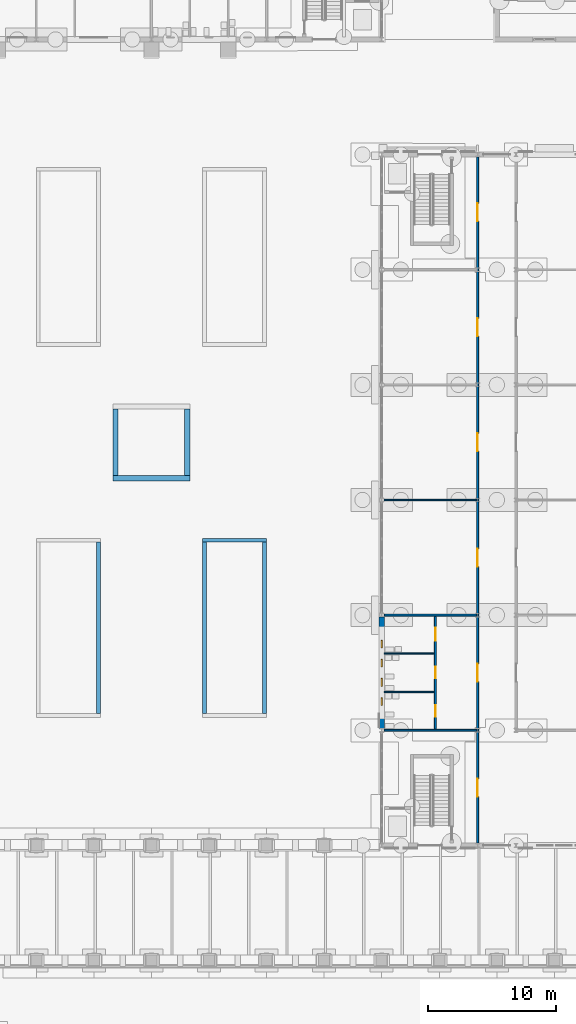
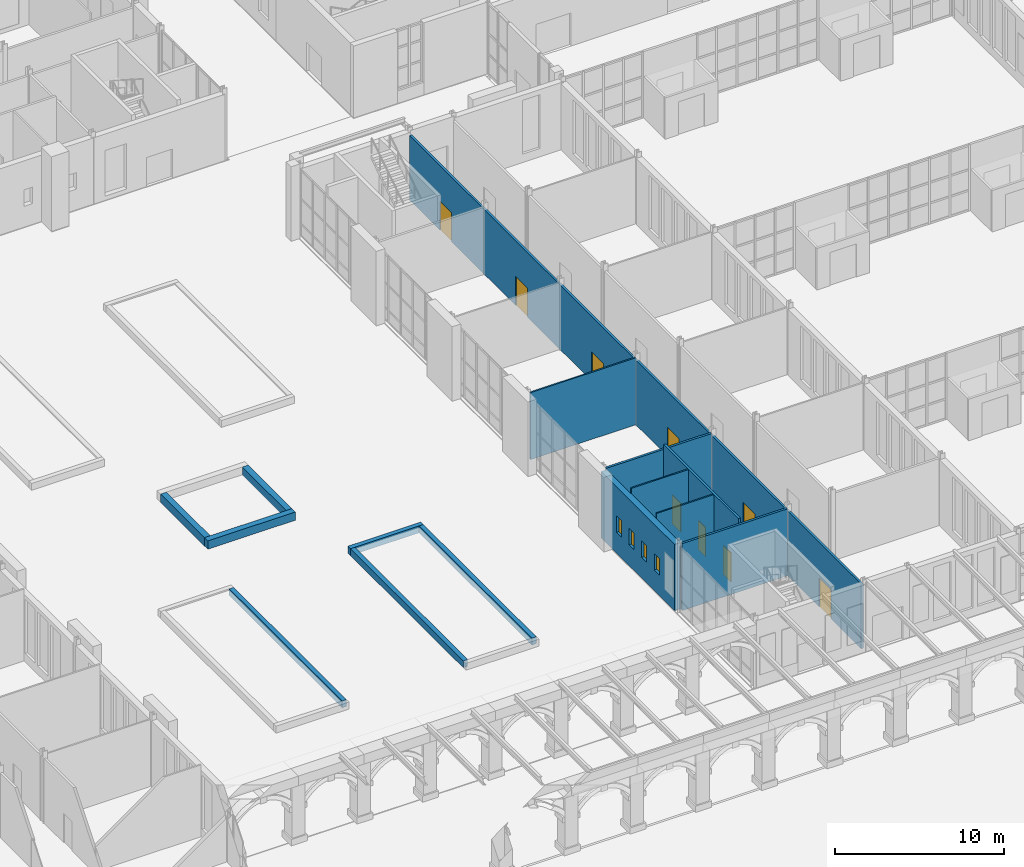
# One storey, part 86 of 168: 15 walls, 9 doors, 4 windows, 13 openings.
"""IFC4 building model written with IfcOpenShell, lengths in metres."""

from ifc_helpers import new_model, si_unit, direction, frame, frame_2d, origin, place, context, subcontext, project, spatial, rectangle, extrude, material, layer, layer_set, type_object, element, fill, save


model = new_model("IFC4")

# Units and contexts
model_context = context("Model", 3, precision=1e-05, world=origin(), true_north=direction((0.0, 1.0)))
body_context = subcontext(model_context, "Body", "Model", "MODEL_VIEW")
ifc_project = project(units=[si_unit("LENGTHUNIT", "METRE"), si_unit("AREAUNIT", "SQUARE_METRE"), si_unit("VOLUMEUNIT", "CUBIC_METRE"), si_unit("PLANEANGLEUNIT", "RADIAN"), si_unit("MASSUNIT", "GRAM", prefix="KILO")], contexts=[model_context])

# Site, building, storey
site_placement = place(None, origin())
site = spatial("IfcSite", under=ifc_project, at=site_placement, CompositionType="ELEMENT")
building_placement = place(site_placement, origin())
building = spatial("IfcBuilding", under=site, at=building_placement, Name="Golden Quay Civic Hall", CompositionType="ELEMENT")
storey_placement = place(building_placement, origin())
storey = spatial("IfcBuildingStorey", under=building, at=storey_placement, Name="L00", CompositionType="ELEMENT", Elevation=0.0)

# Walls
ifc_material_1 = material(Name="Brick, dark clay facing", Category="masonry")
ifc_layer_1 = layer(ifc_material_1, 0.300048828125)
ifc_layer_set_1 = layer_set([ifc_layer_1], Name="Brick planter wall 300")
wall_type_1 = type_object("IfcWallType", Name="Brick planter wall 300", PredefinedType="STANDARD", material=ifc_layer_set_1)
wall_1_placement = place(storey_placement, frame((31.85009765625, 10.300048828125, 0.0), z_axis=(0.0, 0.0, 1.0), x_axis=(0.0, 1.0, 0.0)))
element("IfcWall", 1, at=wall_1_placement, inside=storey, type_object=wall_type_1, Name="Court planter West Court 1", PredefinedType="STANDARD", context=body_context, shape_type="SweptSolid", body=[
    extrude(rectangle(XDim=13.39990234375, YDim=0.300048828125, at=frame_2d((6.699951171875, 0.0))), origin(), (0.0, 0.0, 1.0), 0.5),
])
wall_2_placement = place(storey_placement, frame((40.0, 23.85009765625, 0.0), z_axis=(0.0, 0.0, 1.0), x_axis=(1.0, 0.0, 0.0)))
element("IfcWall", 2, at=wall_2_placement, inside=storey, type_object=wall_type_1, Name="Court planter West Court 3", PredefinedType="STANDARD", context=body_context, shape_type="SweptSolid", body=[
    extrude(rectangle(XDim=5.0, YDim=0.300048828125, at=frame_2d((2.5, 0.0))), origin(), (0.0, 0.0, 1.0), 0.5),
])
for number, where, z_axis, x_axis, name in (
    (3, (40.14990234375, 10.300048828125, 0.0), (0.0, 0.0, 1.0), (0.0, 1.0, 0.0), "Court planter West Court 3"),
    (4, (44.85009765625, 10.300048828125, 0.0), (0.0, 0.0, 1.0), (0.0, 1.0, 0.0), "Court planter West Court 3"),
):
    element("IfcWall", number, at=place(storey_placement, frame(where, z_axis=z_axis, x_axis=x_axis)), inside=storey, type_object=wall_type_1, Name=name, PredefinedType="STANDARD", context=body_context, shape_type="SweptSolid", body=[
        extrude(rectangle(XDim=13.39990234375, YDim=0.300048828125, at=frame_2d((6.699951171875, 0.0))), origin(), (0.0, 0.0, 1.0), 0.5),
    ])
ifc_material_2 = material(Name="Plasterboard on steel studs", Category="steel")
ifc_layer_2 = layer(ifc_material_2, 0.10009765625)
ifc_layer_set_2 = layer_set([ifc_layer_2], Name="Partition 100 stud")
wall_type_2 = type_object("IfcWallType", Name="Partition 100 stud", PredefinedType="PARTITIONING", material=ifc_layer_set_2)
wall_3_placement = place(storey_placement, frame((54.199951171875, 27.0, 0.0), z_axis=(0.0, 0.0, 1.0), x_axis=(1.0, 0.0, 0.0)))
element("IfcWall", 5, at=wall_3_placement, inside=storey, type_object=wall_type_2, Name="Partition L00-001", PredefinedType="PARTITIONING", context=body_context, shape_type="SweptSolid", body=[
    extrude(rectangle(XDim=7.22509765625, YDim=0.10009765625, at=frame_2d((3.612548828125, 0.0))), origin(), (0.0, 0.0, 1.0), 4.85009765625),
])
for number, where, z_axis, x_axis, name in (
    (6, (54.199951171875, 12.0, 0.0), (0.0, 0.0, 1.0), (1.0, 0.0, 0.0), "Partition L00-013"),
    (7, (54.199951171875, 15.0, 0.0), (0.0, 0.0, 1.0), (1.0, 0.0, 0.0), "Partition L00-014"),
):
    element("IfcWall", number, at=place(storey_placement, frame(where, z_axis=z_axis, x_axis=x_axis)), inside=storey, type_object=wall_type_2, Name=name, PredefinedType="PARTITIONING", context=body_context, shape_type="SweptSolid", body=[
        extrude(rectangle(XDim=3.925048828125, YDim=0.10009765625, at=frame_2d((1.96240234375, 0.0))), origin(), (0.0, 0.0, 1.0), 5.199951171875),
    ])
ifc_material_3 = material(Name="Plasterboard on steel studs", Category="steel")
ifc_layer_3 = layer(ifc_material_3, 0.14990234375)
ifc_layer_set_3 = layer_set([ifc_layer_3], Name="Partition 150 stud fire EI 60")
wall_type_3 = type_object("IfcWallType", Name="Partition 150 stud fire EI 60", PredefinedType="PARTITIONING", material=ifc_layer_set_3)
for number, where, z_axis, x_axis, name in (
    (8, (54.199951171875, 18.0, 0.0), (0.0, 0.0, 1.0), (1.0, 0.0, 0.0), "Partition L00-000"),
    (9, (54.199951171875, 9.0, 0.0), (0.0, 0.0, 1.0), (1.0, 0.0, 0.0), "Partition L00-009"),
):
    element("IfcWall", number, at=place(storey_placement, frame(where, z_axis=z_axis, x_axis=x_axis)), inside=storey, type_object=wall_type_3, Name=name, PredefinedType="PARTITIONING", context=body_context, shape_type="SweptSolid", body=[
        extrude(rectangle(XDim=7.22509765625, YDim=0.14990234375, at=frame_2d((3.612548828125, 0.0))), origin(), (0.0, 0.0, 1.0), 4.85009765625),
    ])

# Wall, openings, doors
wall_4_placement = place(storey_placement, frame((61.5, 0.199951171875, 0.0), z_axis=(0.0, 0.0, 1.0), x_axis=(0.0, 1.0, 0.0)))
wall_4 = element("IfcWall", 10, at=wall_4_placement, inside=storey, type_object=wall_type_3, Name="Partition L00-010", PredefinedType="PARTITIONING", context=body_context, shape_type="SweptSolid", body=[
    extrude(rectangle(XDim=53.60009765625, YDim=0.14990234375, at=frame_2d((26.800048828125, 0.0))), origin(), (0.0, 0.0, 1.0), 4.679931640625),
])
opening_1_placement = place(wall_4_placement, frame((21.60009765625, 0.0, 0.0)))
opening_1 = element("IfcOpeningElement", 11, at=opening_1_placement, cuts=wall_4, Name="Opening L00-D109", PredefinedType="OPENING", context=body_context, shape_type="SweptSolid", body=[
    extrude(rectangle(XDim=1.39990234375, YDim=2.10009765625, at=frame_2d((0.699951171875, 1.050048828125))), frame((0.0, 0.0849609375, 0.0), z_axis=(0.0, -1.0, 0.0), x_axis=(1.0, 0.0, 0.0)), (0.0, 0.0, 1.0), 0.169921875),
])
opening_2_placement = place(wall_4_placement, frame((30.60009765625, 0.0, 0.0)))
opening_2 = element("IfcOpeningElement", 12, at=opening_2_placement, cuts=wall_4, Name="Opening L00-D110", PredefinedType="OPENING", context=body_context, shape_type="SweptSolid", body=[
    extrude(rectangle(XDim=1.39990234375, YDim=2.10009765625, at=frame_2d((0.699951171875, 1.050048828125))), frame((0.0, 0.0849609375, 0.0), z_axis=(0.0, -1.0, 0.0), x_axis=(1.0, 0.0, 0.0)), (0.0, 0.0, 1.0), 0.169921875),
])
opening_3_placement = place(wall_4_placement, frame((39.60009765625, 0.0, 0.0)))
opening_3 = element("IfcOpeningElement", 13, at=opening_3_placement, cuts=wall_4, Name="Opening L00-D111", PredefinedType="OPENING", context=body_context, shape_type="SweptSolid", body=[
    extrude(rectangle(XDim=1.39990234375, YDim=2.10009765625, at=frame_2d((0.699951171875, 1.050048828125))), frame((0.0, 0.0849609375, 0.0), z_axis=(0.0, -1.0, 0.0), x_axis=(1.0, 0.0, 0.0)), (0.0, 0.0, 1.0), 0.169921875),
])
opening_4_placement = place(wall_4_placement, frame((12.60009765625, 0.0, 0.0)))
opening_4 = element("IfcOpeningElement", 14, at=opening_4_placement, cuts=wall_4, Name="Opening L00-D117", PredefinedType="OPENING", context=body_context, shape_type="SweptSolid", body=[
    extrude(rectangle(XDim=1.39990234375, YDim=2.10009765625, at=frame_2d((0.699951171875, 1.050048828125))), frame((0.0, 0.0849609375, 0.0), z_axis=(0.0, -1.0, 0.0), x_axis=(1.0, 0.0, 0.0)), (0.0, 0.0, 1.0), 0.169921875),
])
opening_5_placement = place(wall_4_placement, frame((3.60009765625, 0.0, 0.0)))
opening_5 = element("IfcOpeningElement", 15, at=opening_5_placement, cuts=wall_4, Name="Opening L00-D122", PredefinedType="OPENING", context=body_context, shape_type="SweptSolid", body=[
    extrude(rectangle(XDim=1.39990234375, YDim=2.10009765625, at=frame_2d((0.699951171875, 1.050048828125))), frame((0.0, 0.0849609375, 0.0), z_axis=(0.0, -1.0, 0.0), x_axis=(1.0, 0.0, 0.0)), (0.0, 0.0, 1.0), 0.169921875),
])
opening_6_placement = place(wall_4_placement, frame((48.60009765625, 0.0, 0.0)))
opening_6 = element("IfcOpeningElement", 16, at=opening_6_placement, cuts=wall_4, Name="Opening L00-D124", PredefinedType="OPENING", context=body_context, shape_type="SweptSolid", body=[
    extrude(rectangle(XDim=1.39990234375, YDim=2.10009765625, at=frame_2d((0.699951171875, 1.050048828125))), frame((0.0, 0.0849609375, 0.0), z_axis=(0.0, -1.0, 0.0), x_axis=(1.0, 0.0, 0.0)), (0.0, 0.0, 1.0), 0.169921875),
])
ifc_material_4 = material(Name="Steel", Category="steel")
door_type_1 = type_object("IfcDoorType", Name="Steel double fire door FD30S 1400 x 2100", OperationType="DOUBLE_DOOR_SINGLE_SWING", PredefinedType="DOOR", material=ifc_material_4)
door_1_placement = place(opening_1_placement, origin())
door_1 = element("IfcDoor", 17, at=door_1_placement, inside=storey, type_object=door_type_1, Name="Door L00-D109", OperationType="DOUBLE_DOOR_SINGLE_SWING", OverallHeight=2.10009765625, OverallWidth=1.39990234375, PredefinedType="DOOR", context=body_context, shape_type="SweptSolid", body=[
    extrude(rectangle(XDim=1.39990234375, YDim=2.10009765625, at=frame_2d((0.699951171875, 1.050048828125))), frame((0.0, 0.02490234375, 0.0), z_axis=(0.0, -1.0, 0.0), x_axis=(1.0, 0.0, 0.0)), (0.0, 0.0, 1.0), 0.050048828125),
])
fill(opening_1, door_1)
door_2_placement = place(opening_2_placement, origin())
door_2 = element("IfcDoor", 18, at=door_2_placement, inside=storey, type_object=door_type_1, Name="Door L00-D110", OperationType="DOUBLE_DOOR_SINGLE_SWING", OverallHeight=2.10009765625, OverallWidth=1.39990234375, PredefinedType="DOOR", context=body_context, shape_type="SweptSolid", body=[
    extrude(rectangle(XDim=1.39990234375, YDim=2.10009765625, at=frame_2d((0.699951171875, 1.050048828125))), frame((0.0, 0.02490234375, 0.0), z_axis=(0.0, -1.0, 0.0), x_axis=(1.0, 0.0, 0.0)), (0.0, 0.0, 1.0), 0.050048828125),
])
fill(opening_2, door_2)
door_3_placement = place(opening_3_placement, origin())
door_3 = element("IfcDoor", 19, at=door_3_placement, inside=storey, type_object=door_type_1, Name="Door L00-D111", OperationType="DOUBLE_DOOR_SINGLE_SWING", OverallHeight=2.10009765625, OverallWidth=1.39990234375, PredefinedType="DOOR", context=body_context, shape_type="SweptSolid", body=[
    extrude(rectangle(XDim=1.39990234375, YDim=2.10009765625, at=frame_2d((0.699951171875, 1.050048828125))), frame((0.0, 0.02490234375, 0.0), z_axis=(0.0, -1.0, 0.0), x_axis=(1.0, 0.0, 0.0)), (0.0, 0.0, 1.0), 0.050048828125),
])
fill(opening_3, door_3)
door_4_placement = place(opening_4_placement, origin())
door_4 = element("IfcDoor", 20, at=door_4_placement, inside=storey, type_object=door_type_1, Name="Door L00-D117", OperationType="DOUBLE_DOOR_SINGLE_SWING", OverallHeight=2.10009765625, OverallWidth=1.39990234375, PredefinedType="DOOR", context=body_context, shape_type="SweptSolid", body=[
    extrude(rectangle(XDim=1.39990234375, YDim=2.10009765625, at=frame_2d((0.699951171875, 1.050048828125))), frame((0.0, 0.02490234375, 0.0), z_axis=(0.0, -1.0, 0.0), x_axis=(1.0, 0.0, 0.0)), (0.0, 0.0, 1.0), 0.050048828125),
])
fill(opening_4, door_4)
door_5_placement = place(opening_5_placement, frame((1.39990234375, 0.0, 0.0), z_axis=(0.0, 0.0, 1.0), x_axis=(-1.0, 0.0, 0.0)))
door_5 = element("IfcDoor", 21, at=door_5_placement, inside=storey, type_object=door_type_1, Name="Door L00-D122", OperationType="DOUBLE_DOOR_SINGLE_SWING", OverallHeight=2.10009765625, OverallWidth=1.39990234375, PredefinedType="DOOR", context=body_context, shape_type="SweptSolid", body=[
    extrude(rectangle(XDim=1.39990234375, YDim=2.10009765625, at=frame_2d((0.699951171875, 1.050048828125))), frame((0.0, 0.025146484375, 0.0), z_axis=(0.0, -1.0, 0.0), x_axis=(1.0, 0.0, 0.0)), (0.0, 0.0, 1.0), 0.050048828125),
])
fill(opening_5, door_5)
door_6_placement = place(opening_6_placement, frame((1.39990234375, 0.0, 0.0), z_axis=(0.0, 0.0, 1.0), x_axis=(-1.0, 0.0, 0.0)))
door_6 = element("IfcDoor", 22, at=door_6_placement, inside=storey, type_object=door_type_1, Name="Door L00-D124", OperationType="DOUBLE_DOOR_SINGLE_SWING", OverallHeight=2.10009765625, OverallWidth=1.39990234375, PredefinedType="DOOR", context=body_context, shape_type="SweptSolid", body=[
    extrude(rectangle(XDim=1.39990234375, YDim=2.10009765625, at=frame_2d((0.699951171875, 1.050048828125))), frame((0.0, 0.025146484375, 0.0), z_axis=(0.0, -1.0, 0.0), x_axis=(1.0, 0.0, 0.0)), (0.0, 0.0, 1.0), 0.050048828125),
])
fill(opening_6, door_6)

wall_5_placement = place(storey_placement, frame((58.199951171875, 9.074951171875, 0.0), z_axis=(0.0, 0.0, 1.0), x_axis=(0.0, 1.0, 0.0)))
wall_5 = element("IfcWall", 23, at=wall_5_placement, inside=storey, type_object=wall_type_3, Name="Partition L00-012", PredefinedType="PARTITIONING", context=body_context, shape_type="SweptSolid", body=[
    extrude(rectangle(XDim=8.85009765625, YDim=0.14990234375, at=frame_2d((4.425048828125, 0.0))), origin(), (0.0, 0.0, 1.0), 5.199951171875),
])
opening_7_placement = place(wall_5_placement, frame((0.97509765625, 0.0, 0.0)))
opening_7 = element("IfcOpeningElement", 24, at=opening_7_placement, cuts=wall_5, Name="Opening L00-D118", PredefinedType="OPENING", context=body_context, shape_type="SweptSolid", body=[
    extrude(rectangle(XDim=0.89990234375, YDim=2.10009765625, at=frame_2d((0.449951171875, 1.050048828125))), frame((0.0, 0.0849609375, 0.0), z_axis=(0.0, -1.0, 0.0), x_axis=(1.0, 0.0, 0.0)), (0.0, 0.0, 1.0), 0.169921875),
])
opening_8_placement = place(wall_5_placement, frame((3.97509765625, 0.0, 0.0)))
opening_8 = element("IfcOpeningElement", 25, at=opening_8_placement, cuts=wall_5, Name="Opening L00-D119", PredefinedType="OPENING", context=body_context, shape_type="SweptSolid", body=[
    extrude(rectangle(XDim=0.89990234375, YDim=2.10009765625, at=frame_2d((0.449951171875, 1.050048828125))), frame((0.0, 0.0849609375, 0.0), z_axis=(0.0, -1.0, 0.0), x_axis=(1.0, 0.0, 0.0)), (0.0, 0.0, 1.0), 0.169921875),
])
opening_9_placement = place(wall_5_placement, frame((6.925048828125, 0.0, 0.0)))
opening_9 = element("IfcOpeningElement", 26, at=opening_9_placement, cuts=wall_5, Name="Opening L00-D120", PredefinedType="OPENING", context=body_context, shape_type="SweptSolid", body=[
    extrude(rectangle(XDim=1.0, YDim=2.10009765625, at=frame_2d((0.5, 1.050048828125))), frame((0.0, 0.0849609375, 0.0), z_axis=(0.0, -1.0, 0.0), x_axis=(1.0, 0.0, 0.0)), (0.0, 0.0, 1.0), 0.169921875),
])
ifc_material_5 = material(Name="Timber", Category="wood")
door_type_2 = type_object("IfcDoorType", Name="Timber door 1000 x 2100", OperationType="SINGLE_SWING_LEFT", PredefinedType="DOOR", material=ifc_material_5)
door_7_placement = place(opening_9_placement, origin())
door_7 = element("IfcDoor", 27, at=door_7_placement, inside=storey, type_object=door_type_2, Name="Door L00-D120", OperationType="SINGLE_SWING_LEFT", OverallHeight=2.10009765625, OverallWidth=1.0, PredefinedType="DOOR", context=body_context, shape_type="SweptSolid", body=[
    extrude(rectangle(XDim=1.0, YDim=2.10009765625, at=frame_2d((0.5, 1.050048828125))), frame((0.0, 0.02490234375, 0.0), z_axis=(0.0, -1.0, 0.0), x_axis=(1.0, 0.0, 0.0)), (0.0, 0.0, 1.0), 0.050048828125),
])
fill(opening_9, door_7)
ifc_material_6 = material(Name="Timber", Category="wood")
door_type_3 = type_object("IfcDoorType", Name="Timber door 900 x 2100", OperationType="SINGLE_SWING_LEFT", PredefinedType="DOOR", material=ifc_material_6)
door_8_placement = place(opening_7_placement, origin())
door_8 = element("IfcDoor", 28, at=door_8_placement, inside=storey, type_object=door_type_3, Name="Door L00-D118", OperationType="SINGLE_SWING_LEFT", OverallHeight=2.10009765625, OverallWidth=0.89990234375, PredefinedType="DOOR", context=body_context, shape_type="SweptSolid", body=[
    extrude(rectangle(XDim=0.89990234375, YDim=2.10009765625, at=frame_2d((0.449951171875, 1.050048828125))), frame((0.0, 0.02490234375, 0.0), z_axis=(0.0, -1.0, 0.0), x_axis=(1.0, 0.0, 0.0)), (0.0, 0.0, 1.0), 0.050048828125),
])
fill(opening_7, door_8)
door_9_placement = place(opening_8_placement, origin())
door_9 = element("IfcDoor", 29, at=door_9_placement, inside=storey, type_object=door_type_3, Name="Door L00-D119", OperationType="SINGLE_SWING_LEFT", OverallHeight=2.10009765625, OverallWidth=0.89990234375, PredefinedType="DOOR", context=body_context, shape_type="SweptSolid", body=[
    extrude(rectangle(XDim=0.89990234375, YDim=2.10009765625, at=frame_2d((0.449951171875, 1.050048828125))), frame((0.0, 0.02490234375, 0.0), z_axis=(0.0, -1.0, 0.0), x_axis=(1.0, 0.0, 0.0)), (0.0, 0.0, 1.0), 0.050048828125),
])
fill(opening_8, door_9)

# Wall, openings, windows
ifc_material_7 = material(Name="Clay block, rendered, cream")
ifc_layer_4 = layer(ifc_material_7, 0.39990234375)
ifc_layer_set_4 = layer_set([ifc_layer_4], Name="Rendered block external wall 400")
wall_type_4 = type_object("IfcWallType", Name="Rendered block external wall 400", PredefinedType="STANDARD", material=ifc_layer_set_4)
wall_6_placement = place(storey_placement, frame((54.0, 9.14501953125, 0.0), z_axis=(0.0, 0.0, 1.0), x_axis=(0.0, 1.0, 0.0)))
wall_6 = element("IfcWall", 30, at=wall_6_placement, inside=storey, type_object=wall_type_4, Name="Rendered block external wall 400 L00 21", PredefinedType="STANDARD", context=body_context, shape_type="SweptSolid", body=[
    extrude(rectangle(XDim=8.7099609375, YDim=0.39990234375, at=frame_2d((4.35498046875, 0.0))), origin(), (0.0, 0.0, 1.0), 4.800048828125),
])
opening_10_placement = place(wall_6_placement, frame((1.804931640625, 0.0, 1.5)))
opening_10 = element("IfcOpeningElement", 31, at=opening_10_placement, cuts=wall_6, Name="Opening WN1", PredefinedType="OPENING", context=body_context, shape_type="SweptSolid", body=[
    extrude(rectangle(XDim=0.60009765625, YDim=1.199951171875, at=frame_2d((0.300048828125, 0.60009765625))), frame((0.0, 0.2099609375, 0.0), z_axis=(0.0, -1.0, 0.0), x_axis=(1.0, 0.0, 0.0)), (0.0, 0.0, 1.0), 0.419921875),
])
opening_11_placement = place(wall_6_placement, frame((3.304931640625, 0.0, 1.5)))
opening_11 = element("IfcOpeningElement", 32, at=opening_11_placement, cuts=wall_6, Name="Opening WN1", PredefinedType="OPENING", context=body_context, shape_type="SweptSolid", body=[
    extrude(rectangle(XDim=0.60009765625, YDim=1.199951171875, at=frame_2d((0.300048828125, 0.60009765625))), frame((0.0, 0.2099609375, 0.0), z_axis=(0.0, -1.0, 0.0), x_axis=(1.0, 0.0, 0.0)), (0.0, 0.0, 1.0), 0.419921875),
])
opening_12_placement = place(wall_6_placement, frame((4.804931640625, 0.0, 1.5)))
opening_12 = element("IfcOpeningElement", 33, at=opening_12_placement, cuts=wall_6, Name="Opening WN1", PredefinedType="OPENING", context=body_context, shape_type="SweptSolid", body=[
    extrude(rectangle(XDim=0.60009765625, YDim=1.199951171875, at=frame_2d((0.300048828125, 0.60009765625))), frame((0.0, 0.2099609375, 0.0), z_axis=(0.0, -1.0, 0.0), x_axis=(1.0, 0.0, 0.0)), (0.0, 0.0, 1.0), 0.419921875),
])
opening_13_placement = place(wall_6_placement, frame((6.304931640625, 0.0, 1.5)))
opening_13 = element("IfcOpeningElement", 34, at=opening_13_placement, cuts=wall_6, Name="Opening WN1", PredefinedType="OPENING", context=body_context, shape_type="SweptSolid", body=[
    extrude(rectangle(XDim=0.60009765625, YDim=1.199951171875, at=frame_2d((0.300048828125, 0.60009765625))), frame((0.0, 0.2099609375, 0.0), z_axis=(0.0, -1.0, 0.0), x_axis=(1.0, 0.0, 0.0)), (0.0, 0.0, 1.0), 0.419921875),
])
ifc_material_8 = material(Name="Aluminium frame, double glazed", Category="aluminium")
window_type = type_object("IfcWindowType", Name="WC window 600 x 1200", PartitioningType="SINGLE_PANEL", PredefinedType="WINDOW", material=ifc_material_8)
window_1_placement = place(opening_10_placement, origin())
window_1 = element("IfcWindow", 35, at=window_1_placement, inside=storey, type_object=window_type, Name="WC window 600 x 1200 L00 8", OverallHeight=1.199951171875, OverallWidth=0.60009765625, PartitioningType="SINGLE_PANEL", PredefinedType="WINDOW", context=body_context, shape_type="SweptSolid", body=[
    extrude(rectangle(XDim=0.60009765625, YDim=1.199951171875, at=frame_2d((0.300048828125, 0.60009765625))), frame((0.0, 0.030029296875, 0.0), z_axis=(0.0, -1.0, 0.0), x_axis=(1.0, 0.0, 0.0)), (0.0, 0.0, 1.0), 0.06005859375),
])
fill(opening_10, window_1)
window_2_placement = place(opening_11_placement, origin())
window_2 = element("IfcWindow", 36, at=window_2_placement, inside=storey, type_object=window_type, Name="WC window 600 x 1200 L00 9", OverallHeight=1.199951171875, OverallWidth=0.60009765625, PartitioningType="SINGLE_PANEL", PredefinedType="WINDOW", context=body_context, shape_type="SweptSolid", body=[
    extrude(rectangle(XDim=0.60009765625, YDim=1.199951171875, at=frame_2d((0.300048828125, 0.60009765625))), frame((0.0, 0.030029296875, 0.0), z_axis=(0.0, -1.0, 0.0), x_axis=(1.0, 0.0, 0.0)), (0.0, 0.0, 1.0), 0.06005859375),
])
fill(opening_11, window_2)
window_3_placement = place(opening_12_placement, origin())
window_3 = element("IfcWindow", 37, at=window_3_placement, inside=storey, type_object=window_type, Name="WC window 600 x 1200 L00 10", OverallHeight=1.199951171875, OverallWidth=0.60009765625, PartitioningType="SINGLE_PANEL", PredefinedType="WINDOW", context=body_context, shape_type="SweptSolid", body=[
    extrude(rectangle(XDim=0.60009765625, YDim=1.199951171875, at=frame_2d((0.300048828125, 0.60009765625))), frame((0.0, 0.030029296875, 0.0), z_axis=(0.0, -1.0, 0.0), x_axis=(1.0, 0.0, 0.0)), (0.0, 0.0, 1.0), 0.06005859375),
])
fill(opening_12, window_3)
window_4_placement = place(opening_13_placement, origin())
window_4 = element("IfcWindow", 38, at=window_4_placement, inside=storey, type_object=window_type, Name="WC window 600 x 1200 L00 11", OverallHeight=1.199951171875, OverallWidth=0.60009765625, PartitioningType="SINGLE_PANEL", PredefinedType="WINDOW", context=body_context, shape_type="SweptSolid", body=[
    extrude(rectangle(XDim=0.60009765625, YDim=1.199951171875, at=frame_2d((0.300048828125, 0.60009765625))), frame((0.0, 0.030029296875, 0.0), z_axis=(0.0, -1.0, 0.0), x_axis=(1.0, 0.0, 0.0)), (0.0, 0.0, 1.0), 0.06005859375),
])
fill(opening_13, window_4)

# Walls
ifc_material_9 = material(Name="Granite", Category="masonry")
ifc_layer_5 = layer(ifc_material_9, 0.39990234375)
ifc_layer_set_5 = layer_set([ifc_layer_5], Name="Stone basin and seat wall 400")
wall_type_5 = type_object("IfcWallType", Name="Stone basin and seat wall 400", PredefinedType="STANDARD", material=ifc_layer_set_5)
wall_7_placement = place(storey_placement, frame((33.0, 28.699951171875, 0.0), z_axis=(0.0, 0.0, 1.0), x_axis=(1.0, 0.0, 0.0)))
element("IfcWall", 39, at=wall_7_placement, inside=storey, type_object=wall_type_5, Name="Fountain basin West Court", PredefinedType="STANDARD", context=body_context, shape_type="SweptSolid", body=[
    extrude(rectangle(XDim=6.0, YDim=0.39990234375, at=frame_2d((3.0, 0.0))), origin(), (0.0, 0.0, 1.0), 0.60009765625),
])
for number, where, z_axis, x_axis, name in (
    (40, (33.199951171875, 28.89990234375, 0.0), (0.0, 0.0, 1.0), (0.0, 1.0, 0.0), "Fountain basin West Court"),
    (41, (38.800048828125, 28.89990234375, 0.0), (0.0, 0.0, 1.0), (0.0, 1.0, 0.0), "Fountain basin West Court"),
):
    element("IfcWall", number, at=place(storey_placement, frame(where, z_axis=z_axis, x_axis=x_axis)), inside=storey, type_object=wall_type_5, Name=name, PredefinedType="STANDARD", context=body_context, shape_type="SweptSolid", body=[
        extrude(rectangle(XDim=5.2001953125, YDim=0.39990234375, at=frame_2d((2.60009765625, 0.0))), origin(), (0.0, 0.0, 1.0), 0.60009765625),
    ])

save(model, "model.ifc")
